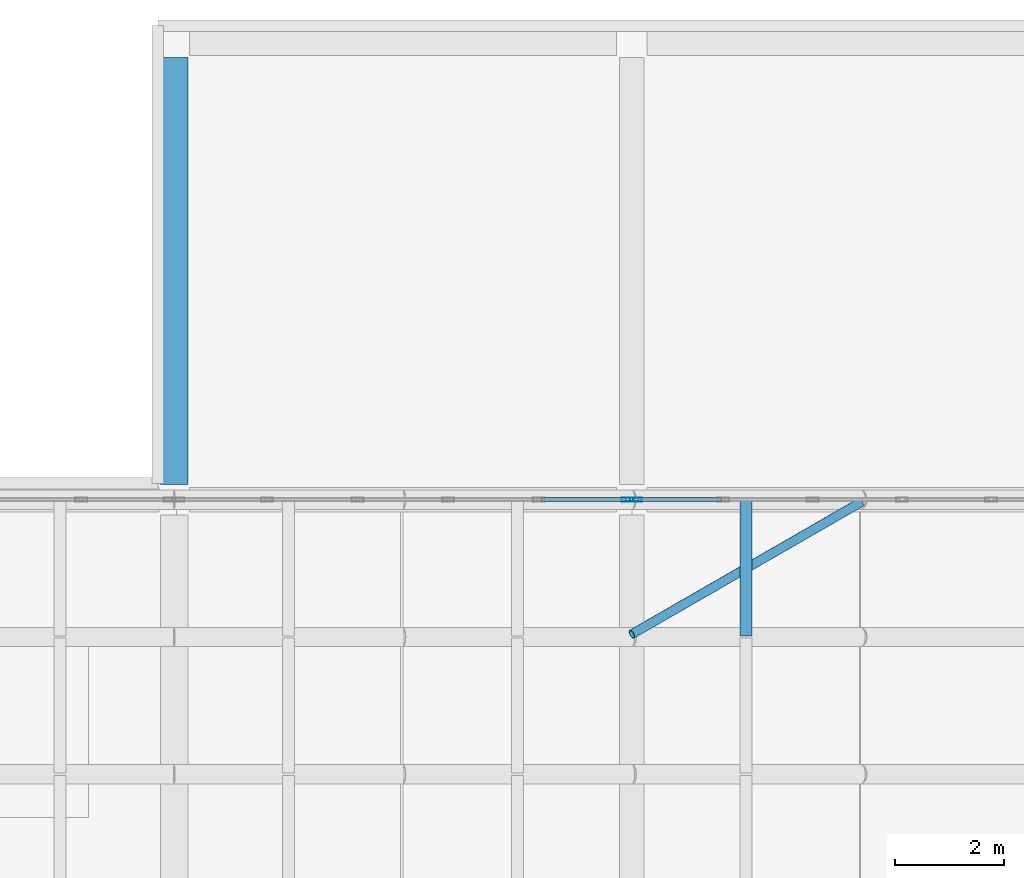
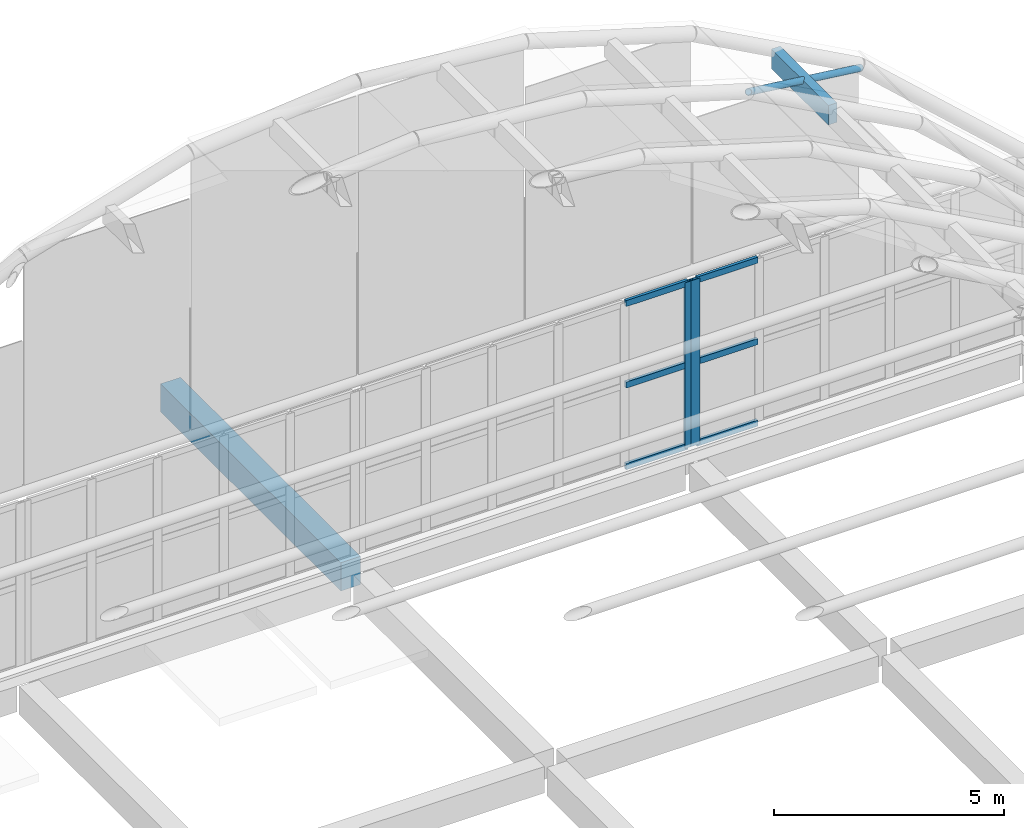
# One storey, part 18 of 26: 10 members, 1 beam, 2 elements without a shape of their own.
"""IFC4 building model written with IfcOpenShell, lengths in metres."""

from ifc_helpers import new_model, si_unit, direction, frame, origin, origin_2d, place, context, subcontext, project, spatial, rectangle, hollow_rectangle, hollow_circle, extrude, material, layer, layer_set, material_profile, profile_set, type_object, element, aggregate, save


model = new_model("IFC4")

# Units and contexts
model_context = context("Model", 3, precision=1e-05, world=origin(), true_north=direction((0.0, 1.0)))
body_context = subcontext(model_context, "Body", "Model", "MODEL_VIEW")
ifc_project = project(units=[si_unit("LENGTHUNIT", "METRE"), si_unit("AREAUNIT", "SQUARE_METRE"), si_unit("VOLUMEUNIT", "CUBIC_METRE"), si_unit("PLANEANGLEUNIT", "RADIAN"), si_unit("MASSUNIT", "GRAM", prefix="KILO")], contexts=[model_context])

# Site, building, storey
site_placement = place(None, origin())
site = spatial("IfcSite", under=ifc_project, at=site_placement, CompositionType="ELEMENT")
building_placement = place(site_placement, origin())
building = spatial("IfcBuilding", under=site, at=building_placement, Name="Xazarin Passage Department Store", CompositionType="ELEMENT")
storey_placement = place(building_placement, frame((0.0, 0.0, 36.89990234375)))
storey = spatial("IfcBuildingStorey", under=building, at=storey_placement, Name="RF", CompositionType="ELEMENT", Elevation=36.89990234375)

# Curtain wall, member
ifc_material_1 = material(Name="Bronze anodised aluminium", Category="aluminium")
ifc_layer = layer(ifc_material_1, 0.199951171875)
ifc_layer_set = layer_set([ifc_layer], Name="Bronze anodised aluminium")
curtain_wall_type = type_object("IfcCurtainWallType", Name="ARC-CW-VIT2", PredefinedType="NOTDEFINED", material=ifc_layer_set)
curtain_wall_1_placement = place(storey_placement, origin())
curtain_wall_1 = element("IfcCurtainWall", 1, at=curtain_wall_1_placement, inside=storey, type_object=curtain_wall_type, Name="RF V1 Atrium Lantern Curtain Wall 12", PredefinedType="NOTDEFINED")
ifc_material_profile_1 = material_profile(ifc_material_1, hollow_rectangle(XDim=0.074951171875, YDim=0.219970703125, WallThickness=0.0048828125, at=origin_2d()), Name="ALU 75x220")
ifc_profile_set_1 = profile_set([ifc_material_profile_1], Name="Bronze anodised aluminium")
member_type_1 = type_object("IfcMemberType", Name="ARC-CWM-75x220", PredefinedType="MULLION", material=ifc_profile_set_1)
member_1_placement = place(storey_placement, frame((25.12255859375, 101.60009765625, 0.0), z_axis=(0.0, 0.0, 1.0), x_axis=(0.0, 1.0, 0.0)))
member_1 = element("IfcMember", 2, at=member_1_placement, type_object=member_type_1, Name="CW2 mullion 6", PredefinedType="MULLION", context=body_context, shape_type="SweptSolid", body=[
    extrude(hollow_rectangle(XDim=0.074951171875, YDim=0.219970703125, WallThickness=0.0048828125, at=origin_2d()), origin(), (0.0, 0.0, 1.0), 4.404296875),
])

curtain_wall_2_placement = place(storey_placement, origin())
curtain_wall_2 = element("IfcCurtainWall", 3, at=curtain_wall_2_placement, inside=storey, type_object=curtain_wall_type, Name="RF V1 Atrium Lantern Curtain Wall 14", PredefinedType="NOTDEFINED")
member_2_placement = place(storey_placement, frame((25.277587890625, 101.60009765625, 0.0), z_axis=(0.0, 0.0, 1.0), x_axis=(0.0, 1.0, 0.0)))
member_2 = element("IfcMember", 4, at=member_2_placement, type_object=member_type_1, Name="CW2 mullion 1", PredefinedType="MULLION", context=body_context, shape_type="SweptSolid", body=[
    extrude(hollow_rectangle(XDim=0.074951171875, YDim=0.219970703125, WallThickness=0.0048828125, at=origin_2d()), origin(), (0.0, 0.0, 1.0), 4.404296875),
])

# Member
ifc_material_profile_2 = material_profile(ifc_material_1, hollow_rectangle(XDim=0.074951171875, YDim=0.159912109375, WallThickness=0.00439453125, at=origin_2d()), Name="ALU 75x160")
ifc_profile_set_2 = profile_set([ifc_material_profile_2], Name="Bronze anodised aluminium")
member_type_2 = type_object("IfcMemberType", Name="ARC-CWT-75x160", PredefinedType="USERDEFINED", material=ifc_profile_set_2)
member_3_placement = place(storey_placement, frame((23.533447265625, 101.60009765625, 0.03759765625), z_axis=(1.0, 0.0, 0.0), x_axis=(0.0, 1.0, 0.0)))
member_3 = element("IfcMember", 5, at=member_3_placement, type_object=member_type_2, Name="CW2 transom 5.1", ObjectType="TRANSOM", PredefinedType="USERDEFINED", context=body_context, shape_type="SweptSolid", body=[
    extrude(hollow_rectangle(XDim=0.074951171875, YDim=0.159912109375, WallThickness=0.00439453125, at=origin_2d()), origin(), (0.0, 0.0, 1.0), 1.551513671875),
])

member_4_placement = place(storey_placement, frame((23.533447265625, 101.60009765625, 2.2021484375), z_axis=(1.0, 0.0, 0.0), x_axis=(0.0, 1.0, 0.0)))
member_4 = element("IfcMember", 6, at=member_4_placement, type_object=member_type_2, Name="CW2 transom 5.2", ObjectType="TRANSOM", PredefinedType="USERDEFINED", context=body_context, shape_type="SweptSolid", body=[
    extrude(hollow_rectangle(XDim=0.074951171875, YDim=0.159912109375, WallThickness=0.00439453125, at=origin_2d()), origin(), (0.0, 0.0, 1.0), 1.551513671875),
])

member_5_placement = place(storey_placement, frame((23.533447265625, 101.60009765625, 4.36669921875), z_axis=(1.0, 0.0, 0.0), x_axis=(0.0, 1.0, 0.0)))
member_5 = element("IfcMember", 7, at=member_5_placement, type_object=member_type_2, Name="CW2 transom 5.3", ObjectType="TRANSOM", PredefinedType="USERDEFINED", context=body_context, shape_type="SweptSolid", body=[
    extrude(hollow_rectangle(XDim=0.074951171875, YDim=0.159912109375, WallThickness=0.00439453125, at=origin_2d()), origin(), (0.0, 0.0, 1.0), 1.551513671875),
])

aggregate(curtain_wall_1, [member_1, member_3, member_4, member_5])

member_6_placement = place(storey_placement, frame((25.31494140625, 101.60009765625, 0.03759765625), z_axis=(1.0, 0.0, 0.0), x_axis=(0.0, 1.0, 0.0)))
member_6 = element("IfcMember", 8, at=member_6_placement, type_object=member_type_2, Name="CW2 transom 1.1", ObjectType="TRANSOM", PredefinedType="USERDEFINED", context=body_context, shape_type="SweptSolid", body=[
    extrude(hollow_rectangle(XDim=0.074951171875, YDim=0.159912109375, WallThickness=0.00439453125, at=origin_2d()), origin(), (0.0, 0.0, 1.0), 1.527587890625),
])

member_7_placement = place(storey_placement, frame((25.31494140625, 101.60009765625, 2.2021484375), z_axis=(1.0, 0.0, 0.0), x_axis=(0.0, 1.0, 0.0)))
member_7 = element("IfcMember", 9, at=member_7_placement, type_object=member_type_2, Name="CW2 transom 1.2", ObjectType="TRANSOM", PredefinedType="USERDEFINED", context=body_context, shape_type="SweptSolid", body=[
    extrude(hollow_rectangle(XDim=0.074951171875, YDim=0.159912109375, WallThickness=0.00439453125, at=origin_2d()), origin(), (0.0, 0.0, 1.0), 1.527587890625),
])

member_8_placement = place(storey_placement, frame((25.31494140625, 101.60009765625, 4.36669921875), z_axis=(1.0, 0.0, 0.0), x_axis=(0.0, 1.0, 0.0)))
member_8 = element("IfcMember", 10, at=member_8_placement, type_object=member_type_2, Name="CW2 transom 1.3", ObjectType="TRANSOM", PredefinedType="USERDEFINED", context=body_context, shape_type="SweptSolid", body=[
    extrude(hollow_rectangle(XDim=0.074951171875, YDim=0.159912109375, WallThickness=0.00439453125, at=origin_2d()), origin(), (0.0, 0.0, 1.0), 1.527587890625),
])

aggregate(curtain_wall_2, [member_2, member_6, member_7, member_8])

# Beam
ifc_material_2 = material(Name="Concrete C35/45", Category="concrete")
ifc_material_profile_3 = material_profile(ifc_material_2, rectangle(XDim=0.5, YDim=0.75, at=origin_2d()), Name="RC 500x750")
ifc_profile_set_3 = profile_set([ifc_material_profile_3], Name="Concrete C35/45")
beam_type = type_object("IfcBeamType", Name="STR-BM-SP500x750", PredefinedType="SPANDREL", material=ifc_profile_set_3)
beam_placement = place(storey_placement, frame((16.800048828125, 101.8798828125, -0.635009765625), z_axis=(0.0, 1.0, 0.0), x_axis=(-1.0, 0.0, 0.0)))
element("IfcBeam", 11, at=beam_placement, inside=storey, type_object=beam_type, Name="RF Grid Beam 3/P-Q", PredefinedType="SPANDREL", context=body_context, shape_type="SweptSolid", body=[
    extrude(rectangle(XDim=0.5, YDim=0.75, at=origin_2d()), origin(), (0.0, 0.0, 1.0), 7.840087890625),
])

# Members
ifc_material_3 = material(Name="Steel S355", Category="steel")
ifc_material_profile_4 = material_profile(ifc_material_3, hollow_circle(Radius=0.084228515625, WallThickness=0.010009765625, at=origin_2d()), Name="CHS 168.3x10")
ifc_profile_set_4 = profile_set([ifc_material_profile_4], Name="Steel S355")
member_type_3 = type_object("IfcMemberType", Name="STR-MEM-BR168", PredefinedType="BRACE", material=ifc_profile_set_4)
member_9_placement = place(storey_placement, frame((25.199951171875, 99.1298828125, 10.88330078125), z_axis=(0.782867479074, 0.451116974949, -0.428499690923), x_axis=(-0.499276194257, 0.866442890125, 0.0)))
element("IfcMember", 12, at=member_9_placement, inside=storey, type_object=member_type_3, Name="V1V Gridshell Diagonal Brace 10.6", PredefinedType="BRACE", context=body_context, shape_type="SweptSolid", body=[
    extrude(hollow_circle(Radius=0.084228515625, WallThickness=0.010009765625, at=origin_2d()), origin(), (0.0, 0.0, 1.0), 5.36474609375),
])
ifc_material_4 = material(Name="Glulam GL28h", Category="wood")
ifc_material_profile_5 = material_profile(ifc_material_4, rectangle(XDim=0.219970703125, YDim=0.52001953125, at=origin_2d()), Name="GL28h 220x520")
ifc_profile_set_5 = profile_set([ifc_material_profile_5], Name="Glulam GL28h")
member_type_4 = type_object("IfcMemberType", Name="STR-MEM-GL520", PredefinedType="PURLIN", material=ifc_profile_set_5)
member_10_placement = place(storey_placement, frame((27.300048828125, 99.10009765625, 9.581787109375), z_axis=(0.0, 1.0, 0.0), x_axis=(-1.0, 0.0, 0.0)))
element("IfcMember", 13, at=member_10_placement, inside=storey, type_object=member_type_4, Name="V1V Glulam Gridshell Purlin 10.7", PredefinedType="PURLIN", context=body_context, shape_type="SweptSolid", body=[
    extrude(rectangle(XDim=0.219970703125, YDim=0.52001953125, at=origin_2d()), origin(), (0.0, 0.0, 1.0), 2.47998046875),
])

save(model, "model.ifc")
